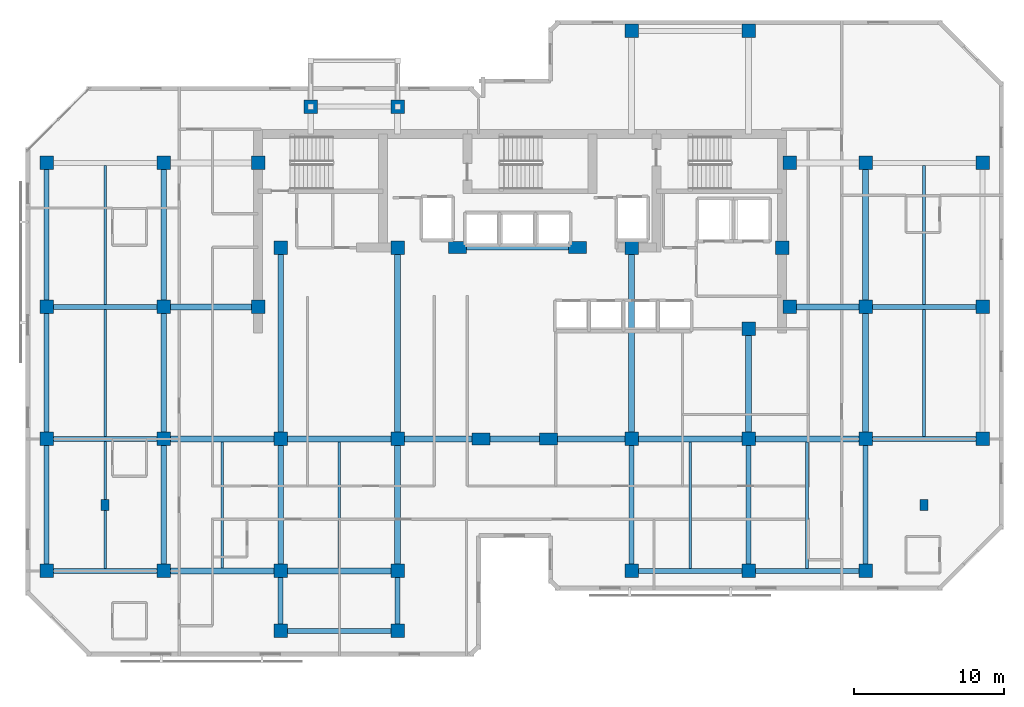
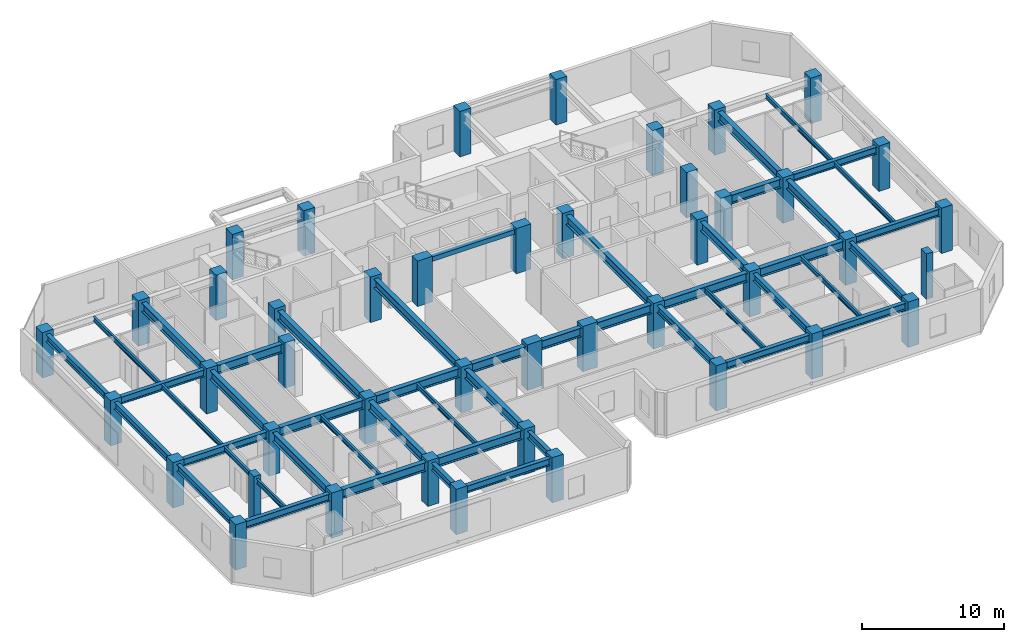
# One storey, part 1 of 10: 48 beams, 44 columns.
"""IFC4 building model written with IfcOpenShell, lengths in metres."""

from ifc_helpers import new_model, si_unit, direction, frame, origin, origin_2d, place, context, subcontext, project, spatial, rectangle, i_section, extrude, material, material_profile, profile_set, type_object, element, save


model = new_model("IFC4")

# Units and contexts
model_context = context("Model", 3, precision=1e-05, world=origin(), true_north=direction((0.0, 1.0)))
body_context = subcontext(model_context, "Body", "Model", "MODEL_VIEW")
ifc_project = project(units=[si_unit("LENGTHUNIT", "METRE"), si_unit("AREAUNIT", "SQUARE_METRE"), si_unit("VOLUMEUNIT", "CUBIC_METRE"), si_unit("PLANEANGLEUNIT", "RADIAN"), si_unit("MASSUNIT", "GRAM", prefix="KILO")], contexts=[model_context])

# Site, building, storey
site_placement = place(None, origin())
site = spatial("IfcSite", under=ifc_project, at=site_placement, CompositionType="ELEMENT")
building_placement = place(site_placement, origin())
building = spatial("IfcBuilding", under=site, at=building_placement, Name="Kestravale Grand Hotel", CompositionType="ELEMENT")
storey_placement = place(building_placement, frame((0.0, 0.0, 212.39990234375)))
storey = spatial("IfcBuildingStorey", under=building, at=storey_placement, Name="L53", CompositionType="ELEMENT", Elevation=212.39990234375)

# Columns
ifc_material_1 = material(Name="Concrete f'c 60 MPa", Category="concrete")
ifc_material_profile_1 = material_profile(ifc_material_1, rectangle(XDim=1.199951171875, YDim=0.800048828125, at=origin_2d()))
ifc_profile_set_1 = profile_set([ifc_material_profile_1], Name="Concrete f'c 60 MPa")
column_type_1 = type_object("IfcColumnType", Name="C-Z3-1200X800", PredefinedType="COLUMN", material=ifc_profile_set_1)
for number, where, z_axis, x_axis, name in (
    (1, (36.75, 20.0, 0.0), (0.0, 0.0, 1.0), (1.0, 0.0, 0.0), "L53 column 6-D"),
    (2, (41.25, 20.0, 0.0), (0.0, 0.0, 1.0), (1.0, 0.0, 0.0), "L53 column 7-D"),
    (3, (35.199951171875, 32.75, 0.0), (0.0, 0.0, 1.0), (1.0, 0.0, 0.0), "L53 column 6C-CS"),
    (4, (43.199951171875, 32.75, 0.0), (0.0, 0.0, 1.0), (1.0, 0.0, 0.0), "L53 column 7C-CS"),
):
    element("IfcColumn", number, at=place(storey_placement, frame(where, z_axis=z_axis, x_axis=x_axis)), inside=storey, type_object=column_type_1, Name=name, PredefinedType="COLUMN", context=body_context, shape_type="SweptSolid", body=[
        extrude(rectangle(XDim=1.199951171875, YDim=0.800048828125, at=origin_2d()), origin(), (0.0, 0.0, 1.0), 3.900146484375),
    ])
ifc_material_2 = material(Name="Precast concrete f'c 45 MPa", Category="concrete")
ifc_material_profile_2 = material_profile(ifc_material_2, rectangle(XDim=0.550048828125, YDim=0.75, at=origin_2d()))
ifc_profile_set_2 = profile_set([ifc_material_profile_2], Name="Precast concrete f'c 45 MPa")
column_type_2 = type_object("IfcColumnType", Name="C-Z3-PIL750", PredefinedType="PILASTER", material=ifc_profile_set_2)
for number, where, z_axis, x_axis, name in (
    (5, (11.699951171875, 15.60009765625, 0.0), (0.0, 0.0, 1.0), (1.0, 0.0, 0.0), "L53 Art Deco fluted pilaster P1"),
    (6, (66.300048828125, 15.60009765625, 0.0), (0.0, 0.0, 1.0), (1.0, 0.0, 0.0), "L53 Art Deco fluted pilaster P2"),
):
    element("IfcColumn", number, at=place(storey_placement, frame(where, z_axis=z_axis, x_axis=x_axis)), inside=storey, type_object=column_type_2, Name=name, PredefinedType="PILASTER", context=body_context, shape_type="SweptSolid", body=[
        extrude(rectangle(XDim=0.550048828125, YDim=0.75, at=origin_2d()), origin(), (0.0, 0.0, 1.0), 3.900146484375),
    ])
ifc_material_3 = material(Name="Concrete f'c 50 MPa", Category="concrete")
ifc_material_profile_3 = material_profile(ifc_material_3, rectangle(XDim=0.89990234375, YDim=0.89990234375, at=origin_2d()))
ifc_profile_set_3 = profile_set([ifc_material_profile_3], Name="Concrete f'c 50 MPa")
column_type_3 = type_object("IfcColumnType", Name="C-Z4-900", PredefinedType="COLUMN", material=ifc_profile_set_3)
for number, where, z_axis, x_axis, name in (
    (7, (7.800048828125, 11.199951171875, 0.0), (0.0, 0.0, 1.0), (1.0, 0.0, 0.0), "L53 column 2-C"),
    (8, (7.800048828125, 20.0, 0.0), (0.0, 0.0, 1.0), (1.0, 0.0, 0.0), "L53 column 2-D"),
    (9, (7.800048828125, 28.800048828125, 0.0), (0.0, 0.0, 1.0), (1.0, 0.0, 0.0), "L53 column 2-E"),
    (10, (7.800048828125, 38.39990234375, 0.0), (0.0, 0.0, 1.0), (1.0, 0.0, 0.0), "L53 column 2-F"),
    (11, (15.60009765625, 11.199951171875, 0.0), (0.0, 0.0, 1.0), (1.0, 0.0, 0.0), "L53 column 3-C"),
    (12, (15.60009765625, 20.0, 0.0), (0.0, 0.0, 1.0), (1.0, 0.0, 0.0), "L53 column 3-D"),
    (13, (15.60009765625, 28.800048828125, 0.0), (0.0, 0.0, 1.0), (1.0, 0.0, 0.0), "L53 column 3-E"),
    (14, (15.60009765625, 38.39990234375, 0.0), (0.0, 0.0, 1.0), (1.0, 0.0, 0.0), "L53 column 3-F"),
    (15, (23.39990234375, 11.199951171875, 0.0), (0.0, 0.0, 1.0), (1.0, 0.0, 0.0), "L53 column 4-C"),
    (16, (23.39990234375, 20.0, 0.0), (0.0, 0.0, 1.0), (1.0, 0.0, 0.0), "L53 column 4-D"),
    (17, (31.199951171875, 11.199951171875, 0.0), (0.0, 0.0, 1.0), (1.0, 0.0, 0.0), "L53 column 5-C"),
    (18, (31.199951171875, 20.0, 0.0), (0.0, 0.0, 1.0), (1.0, 0.0, 0.0), "L53 column 5-D"),
    (19, (46.800048828125, 11.199951171875, 0.0), (0.0, 0.0, 1.0), (1.0, 0.0, 0.0), "L53 column 8-C"),
    (20, (46.800048828125, 20.0, 0.0), (0.0, 0.0, 1.0), (1.0, 0.0, 0.0), "L53 column 8-D"),
    (21, (46.800048828125, 47.199951171875, 0.0), (0.0, 0.0, 1.0), (1.0, 0.0, 0.0), "L53 column 8-G"),
    (22, (54.60009765625, 11.199951171875, 0.0), (0.0, 0.0, 1.0), (1.0, 0.0, 0.0), "L53 column 9-C"),
    (23, (54.60009765625, 20.0, 0.0), (0.0, 0.0, 1.0), (1.0, 0.0, 0.0), "L53 column 9-D"),
    (24, (54.60009765625, 47.199951171875, 0.0), (0.0, 0.0, 1.0), (1.0, 0.0, 0.0), "L53 column 9-G"),
    (25, (62.39990234375, 11.199951171875, 0.0), (0.0, 0.0, 1.0), (1.0, 0.0, 0.0), "L53 column 10-C"),
    (26, (62.39990234375, 20.0, 0.0), (0.0, 0.0, 1.0), (1.0, 0.0, 0.0), "L53 column 10-D"),
    (27, (62.39990234375, 28.800048828125, 0.0), (0.0, 0.0, 1.0), (1.0, 0.0, 0.0), "L53 column 10-E"),
    (28, (62.39990234375, 38.39990234375, 0.0), (0.0, 0.0, 1.0), (1.0, 0.0, 0.0), "L53 column 10-F"),
    (29, (70.199951171875, 20.0, 0.0), (0.0, 0.0, 1.0), (1.0, 0.0, 0.0), "L53 column 11-D"),
    (30, (70.199951171875, 28.800048828125, 0.0), (0.0, 0.0, 1.0), (1.0, 0.0, 0.0), "L53 column 11-E"),
    (31, (70.199951171875, 38.39990234375, 0.0), (0.0, 0.0, 1.0), (1.0, 0.0, 0.0), "L53 column 11-F"),
    (32, (21.89990234375, 28.800048828125, 0.0), (0.0, 0.0, 1.0), (1.0, 0.0, 0.0), "L53 column CW-E"),
    (33, (21.89990234375, 38.39990234375, 0.0), (0.0, 0.0, 1.0), (1.0, 0.0, 0.0), "L53 column CW-F"),
    (34, (57.35009765625, 28.800048828125, 0.0), (0.0, 0.0, 1.0), (1.0, 0.0, 0.0), "L53 column CE-E"),
    (35, (57.35009765625, 38.39990234375, 0.0), (0.0, 0.0, 1.0), (1.0, 0.0, 0.0), "L53 column CE-F"),
    (36, (23.39990234375, 32.75, 0.0), (0.0, 0.0, 1.0), (1.0, 0.0, 0.0), "L53 column 4-CS"),
    (37, (31.199951171875, 32.75, 0.0), (0.0, 0.0, 1.0), (1.0, 0.0, 0.0), "L53 column 5-CS"),
    (38, (46.800048828125, 32.75, 0.0), (0.0, 0.0, 1.0), (1.0, 0.0, 0.0), "L53 column 8-CS"),
    (39, (54.60009765625, 27.35009765625, 0.0), (0.0, 0.0, 1.0), (1.0, 0.0, 0.0), "L53 column 9-CS"),
    (40, (56.85009765625, 32.75, 0.0), (0.0, 0.0, 1.0), (1.0, 0.0, 0.0), "L53 column 9C-CS"),
    (41, (23.39990234375, 7.199951171875, 0.0), (0.0, 0.0, 1.0), (1.0, 0.0, 0.0), "L53 column 4-BS"),
    (42, (31.199951171875, 7.199951171875, 0.0), (0.0, 0.0, 1.0), (1.0, 0.0, 0.0), "L53 column 5-BS"),
    (43, (25.39990234375, 42.14990234375, 0.0), (0.0, 0.0, 1.0), (1.0, 0.0, 0.0), "L53 column 4-FN"),
    (44, (31.199951171875, 42.14990234375, 0.0), (0.0, 0.0, 1.0), (1.0, 0.0, 0.0), "L53 column 5-FN"),
):
    element("IfcColumn", number, at=place(storey_placement, frame(where, z_axis=z_axis, x_axis=x_axis)), inside=storey, type_object=column_type_3, Name=name, PredefinedType="COLUMN", context=body_context, shape_type="SweptSolid", body=[
        extrude(rectangle(XDim=0.89990234375, YDim=0.89990234375, at=origin_2d()), origin(), (0.0, 0.0, 1.0), 3.900146484375),
    ])

# Beams
ifc_material_4 = material(Name="Steel ASTM A992 Grade 50", Category="steel")
ifc_material_profile_4 = material_profile(ifc_material_4, i_section(OverallWidth=0.177978515625, OverallDepth=0.404052734375, WebThickness=0.007568359375, FlangeThickness=0.010986328125, FilletRadius=0.01416015625, at=origin_2d()))
ifc_profile_set_4 = profile_set([ifc_material_profile_4], Name="Steel ASTM A992 Grade 50")
beam_type_1 = type_object("IfcBeamType", Name="B-FLR-JST16", PredefinedType="JOIST", material=ifc_profile_set_4)
for number, where, z_axis, x_axis, name in (
    (45, (11.699951171875, 11.362548828125, 3.447998046875), (0.0, 1.0, 0.0), (-1.0, 0.0, 0.0), "L53 floor joist 2-3/C-D #1"),
    (46, (11.699951171875, 20.16259765625, 3.447998046875), (0.0, 1.0, 0.0), (-1.0, 0.0, 0.0), "L53 floor joist 2-3/D-E #1"),
):
    element("IfcBeam", number, at=place(storey_placement, frame(where, z_axis=z_axis, x_axis=x_axis)), inside=storey, type_object=beam_type_1, Name=name, PredefinedType="JOIST", context=body_context, shape_type="SweptSolid", body=[
        extrude(i_section(OverallWidth=0.177978515625, OverallDepth=0.404052734375, WebThickness=0.007568359375, FlangeThickness=0.010986328125, FilletRadius=0.01416015625, at=origin_2d()), origin(), (0.0, 0.0, 1.0), 8.474853515625),
    ])
beam_1_placement = place(storey_placement, frame((11.699951171875, 28.96240234375, 3.447998046875), z_axis=(0.0, 1.0, 0.0), x_axis=(-1.0, 0.0, 0.0)))
element("IfcBeam", 47, at=beam_1_placement, inside=storey, type_object=beam_type_1, Name="L53 floor joist 2-3/E-F #1", PredefinedType="JOIST", context=body_context, shape_type="SweptSolid", body=[
    extrude(i_section(OverallWidth=0.177978515625, OverallDepth=0.404052734375, WebThickness=0.007568359375, FlangeThickness=0.010986328125, FilletRadius=0.01416015625, at=origin_2d()), origin(), (0.0, 0.0, 1.0), 9.275146484375),
])
for number, where, z_axis, x_axis, name in (
    (48, (19.5, 11.390380859375, 3.447998046875), (0.0, 1.0, 0.0), (-1.0, 0.0, 0.0), "L53 floor joist 3-4/C-D #1"),
    (49, (27.300048828125, 11.390380859375, 3.447998046875), (0.0, 1.0, 0.0), (-1.0, 0.0, 0.0), "L53 floor joist 4-5/C-D #1"),
):
    element("IfcBeam", number, at=place(storey_placement, frame(where, z_axis=z_axis, x_axis=x_axis)), inside=storey, type_object=beam_type_1, Name=name, PredefinedType="JOIST", context=body_context, shape_type="SweptSolid", body=[
        extrude(i_section(OverallWidth=0.177978515625, OverallDepth=0.404052734375, WebThickness=0.007568359375, FlangeThickness=0.010986328125, FilletRadius=0.01416015625, at=origin_2d()), origin(), (0.0, 0.0, 1.0), 8.419189453125),
    ])
for number, where, z_axis, x_axis, name in (
    (50, (50.699951171875, 11.362548828125, 3.447998046875), (0.0, 1.0, 0.0), (-1.0, 0.0, 0.0), "L53 floor joist 8-9/C-D #1"),
    (51, (58.5, 11.362548828125, 3.447998046875), (0.0, 1.0, 0.0), (-1.0, 0.0, 0.0), "L53 floor joist 9-10/C-D #1"),
):
    element("IfcBeam", number, at=place(storey_placement, frame(where, z_axis=z_axis, x_axis=x_axis)), inside=storey, type_object=beam_type_1, Name=name, PredefinedType="JOIST", context=body_context, shape_type="SweptSolid", body=[
        extrude(i_section(OverallWidth=0.177978515625, OverallDepth=0.404052734375, WebThickness=0.007568359375, FlangeThickness=0.010986328125, FilletRadius=0.01416015625, at=origin_2d()), origin(), (0.0, 0.0, 1.0), 8.447021484375),
    ])
beam_2_placement = place(storey_placement, frame((66.300048828125, 20.16259765625, 3.447998046875), z_axis=(0.0, 1.0, 0.0), x_axis=(-1.0, 0.0, 0.0)))
element("IfcBeam", 52, at=beam_2_placement, inside=storey, type_object=beam_type_1, Name="L53 floor joist 10-11/D-E #1", PredefinedType="JOIST", context=body_context, shape_type="SweptSolid", body=[
    extrude(i_section(OverallWidth=0.177978515625, OverallDepth=0.404052734375, WebThickness=0.007568359375, FlangeThickness=0.010986328125, FilletRadius=0.01416015625, at=origin_2d()), origin(), (0.0, 0.0, 1.0), 8.474853515625),
])
beam_3_placement = place(storey_placement, frame((66.300048828125, 28.96240234375, 3.447998046875), z_axis=(0.0, 1.0, 0.0), x_axis=(-1.0, 0.0, 0.0)))
element("IfcBeam", 53, at=beam_3_placement, inside=storey, type_object=beam_type_1, Name="L53 floor joist 10-11/E-F #1", PredefinedType="JOIST", context=body_context, shape_type="SweptSolid", body=[
    extrude(i_section(OverallWidth=0.177978515625, OverallDepth=0.404052734375, WebThickness=0.007568359375, FlangeThickness=0.010986328125, FilletRadius=0.01416015625, at=origin_2d()), origin(), (0.0, 0.0, 1.0), 9.275146484375),
])
ifc_material_5 = material(Name="Concrete f'c 45 MPa", Category="concrete")
ifc_material_profile_5 = material_profile(ifc_material_5, rectangle(XDim=0.300048828125, YDim=0.39990234375, at=origin_2d()))
ifc_profile_set_5 = profile_set([ifc_material_profile_5], Name="Concrete f'c 45 MPa")
beam_type_2 = type_object("IfcBeamType", Name="B-FLR-LNT400", PredefinedType="LINTEL", material=ifc_profile_set_5)
beam_4_placement = place(storey_placement, frame((35.199951171875, 32.75, 3.4501953125), z_axis=(1.0, 0.0, 0.0), x_axis=(0.0, 1.0, 0.0)))
element("IfcBeam", 54, at=beam_4_placement, inside=storey, type_object=beam_type_2, Name="L53 core portal header lintel", PredefinedType="LINTEL", context=body_context, shape_type="SweptSolid", body=[
    extrude(rectangle(XDim=0.300048828125, YDim=0.39990234375, at=origin_2d()), origin(), (0.0, 0.0, 1.0), 8.0),
])
ifc_material_6 = material(Name="Steel ASTM A992 Grade 50", Category="steel")
ifc_material_profile_6 = material_profile(ifc_material_6, i_section(OverallWidth=0.324951171875, OverallDepth=0.612060546875, WebThickness=0.0126953125, FlangeThickness=0.01904296875, FilletRadius=0.018798828125, at=origin_2d()))
ifc_profile_set_6 = profile_set([ifc_material_profile_6], Name="Steel ASTM A992 Grade 50")
beam_type_3 = type_object("IfcBeamType", Name="B-FLR-W24A", PredefinedType="SPANDREL", material=ifc_profile_set_6)
for number, where, z_axis, x_axis, name in (
    (55, (7.800048828125, 11.199951171875, 3.343994140625), (1.0, 0.0, 0.0), (0.0, 1.0, 0.0), "L53 spandrel C:2-3"),
    (56, (46.800048828125, 11.199951171875, 3.343994140625), (1.0, 0.0, 0.0), (0.0, 1.0, 0.0), "L53 spandrel C:8-9"),
):
    element("IfcBeam", number, at=place(storey_placement, frame(where, z_axis=z_axis, x_axis=x_axis)), inside=storey, type_object=beam_type_3, Name=name, PredefinedType="SPANDREL", context=body_context, shape_type="SweptSolid", body=[
        extrude(i_section(OverallWidth=0.324951171875, OverallDepth=0.612060546875, WebThickness=0.0126953125, FlangeThickness=0.01904296875, FilletRadius=0.018798828125, at=origin_2d()), origin(), (0.0, 0.0, 1.0), 7.800048828125),
    ])
beam_5_placement = place(storey_placement, frame((54.60009765625, 11.199951171875, 3.343994140625), z_axis=(1.0, 0.0, 0.0), x_axis=(0.0, 1.0, 0.0)))
element("IfcBeam", 57, at=beam_5_placement, inside=storey, type_object=beam_type_3, Name="L53 spandrel C:9-10", PredefinedType="SPANDREL", context=body_context, shape_type="SweptSolid", body=[
    extrude(i_section(OverallWidth=0.324951171875, OverallDepth=0.612060546875, WebThickness=0.0126953125, FlangeThickness=0.01904296875, FilletRadius=0.018798828125, at=origin_2d()), origin(), (0.0, 0.0, 1.0), 7.7998046875),
])
for number, where, z_axis, x_axis, name in (
    (58, (7.800048828125, 20.0, 3.343994140625), (1.0, 0.0, 0.0), (0.0, 1.0, 0.0), "L53 spandrel D:2-3"),
    (59, (62.39990234375, 20.0, 3.343994140625), (1.0, 0.0, 0.0), (0.0, 1.0, 0.0), "L53 spandrel D:10-11"),
    (60, (7.800048828125, 28.800048828125, 3.343994140625), (1.0, 0.0, 0.0), (0.0, 1.0, 0.0), "L53 spandrel E:2-3"),
    (61, (62.39990234375, 28.800048828125, 3.343994140625), (1.0, 0.0, 0.0), (0.0, 1.0, 0.0), "L53 spandrel E:10-11"),
    (62, (23.39990234375, 7.199951171875, 3.343994140625), (1.0, 0.0, 0.0), (0.0, 1.0, 0.0), "L53 perimeter tie spandrel BS:4-5"),
):
    element("IfcBeam", number, at=place(storey_placement, frame(where, z_axis=z_axis, x_axis=x_axis)), inside=storey, type_object=beam_type_3, Name=name, PredefinedType="SPANDREL", context=body_context, shape_type="SweptSolid", body=[
        extrude(i_section(OverallWidth=0.324951171875, OverallDepth=0.612060546875, WebThickness=0.0126953125, FlangeThickness=0.01904296875, FilletRadius=0.018798828125, at=origin_2d()), origin(), (0.0, 0.0, 1.0), 7.800048828125),
    ])
for number, where, z_axis, x_axis, name in (
    (63, (7.800048828125, 11.199951171875, 3.343994140625), (0.0, 1.0, 0.0), (-1.0, 0.0, 0.0), "L53 spandrel 2:C-D"),
    (64, (7.800048828125, 20.0, 3.343994140625), (0.0, 1.0, 0.0), (-1.0, 0.0, 0.0), "L53 spandrel 2:D-E"),
):
    element("IfcBeam", number, at=place(storey_placement, frame(where, z_axis=z_axis, x_axis=x_axis)), inside=storey, type_object=beam_type_3, Name=name, PredefinedType="SPANDREL", context=body_context, shape_type="SweptSolid", body=[
        extrude(i_section(OverallWidth=0.324951171875, OverallDepth=0.612060546875, WebThickness=0.0126953125, FlangeThickness=0.01904296875, FilletRadius=0.018798828125, at=origin_2d()), origin(), (0.0, 0.0, 1.0), 8.800048828125),
    ])
beam_6_placement = place(storey_placement, frame((7.800048828125, 28.800048828125, 3.343994140625), z_axis=(0.0, 1.0, 0.0), x_axis=(-1.0, 0.0, 0.0)))
element("IfcBeam", 65, at=beam_6_placement, inside=storey, type_object=beam_type_3, Name="L53 spandrel 2:E-F", PredefinedType="SPANDREL", context=body_context, shape_type="SweptSolid", body=[
    extrude(i_section(OverallWidth=0.324951171875, OverallDepth=0.612060546875, WebThickness=0.0126953125, FlangeThickness=0.01904296875, FilletRadius=0.018798828125, at=origin_2d()), origin(), (0.0, 0.0, 1.0), 9.599853515625),
])
for number, where, z_axis, x_axis, name in (
    (66, (23.39990234375, 7.199951171875, 3.343994140625), (0.0, 1.0, 0.0), (-1.0, 0.0, 0.0), "L53 spandrel 4:BS-C"),
    (67, (31.199951171875, 7.199951171875, 3.343994140625), (0.0, 1.0, 0.0), (-1.0, 0.0, 0.0), "L53 spandrel 5:BS-C"),
):
    element("IfcBeam", number, at=place(storey_placement, frame(where, z_axis=z_axis, x_axis=x_axis)), inside=storey, type_object=beam_type_3, Name=name, PredefinedType="SPANDREL", context=body_context, shape_type="SweptSolid", body=[
        extrude(i_section(OverallWidth=0.324951171875, OverallDepth=0.612060546875, WebThickness=0.0126953125, FlangeThickness=0.01904296875, FilletRadius=0.018798828125, at=origin_2d()), origin(), (0.0, 0.0, 1.0), 4.0),
    ])
for number, where, z_axis, x_axis, name in (
    (68, (46.800048828125, 11.199951171875, 3.343994140625), (0.0, 1.0, 0.0), (-1.0, 0.0, 0.0), "L53 spandrel 8:C-D"),
    (69, (54.60009765625, 11.199951171875, 3.343994140625), (0.0, 1.0, 0.0), (-1.0, 0.0, 0.0), "L53 spandrel 9:C-D"),
    (70, (62.39990234375, 11.199951171875, 3.343994140625), (0.0, 1.0, 0.0), (-1.0, 0.0, 0.0), "L53 spandrel 10:C-D"),
):
    element("IfcBeam", number, at=place(storey_placement, frame(where, z_axis=z_axis, x_axis=x_axis)), inside=storey, type_object=beam_type_3, Name=name, PredefinedType="SPANDREL", context=body_context, shape_type="SweptSolid", body=[
        extrude(i_section(OverallWidth=0.324951171875, OverallDepth=0.612060546875, WebThickness=0.0126953125, FlangeThickness=0.01904296875, FilletRadius=0.018798828125, at=origin_2d()), origin(), (0.0, 0.0, 1.0), 8.800048828125),
    ])
ifc_material_7 = material(Name="Steel ASTM A992 Grade 50", Category="steel")
ifc_material_profile_7 = material_profile(ifc_material_7, i_section(OverallWidth=0.381103515625, OverallDepth=0.77197265625, WebThickness=0.0166015625, FlangeThickness=0.027099609375, FilletRadius=0.023681640625, at=origin_2d()))
ifc_profile_set_7 = profile_set([ifc_material_profile_7], Name="Steel ASTM A992 Grade 50")
beam_type_4 = type_object("IfcBeamType", Name="B-GRD-W30", PredefinedType="BEAM", material=ifc_profile_set_7)
beam_7_placement = place(storey_placement, frame((15.60009765625, 11.199951171875, 3.26416015625), z_axis=(1.0, 0.0, 0.0), x_axis=(0.0, 1.0, 0.0)))
element("IfcBeam", 71, at=beam_7_placement, inside=storey, type_object=beam_type_4, Name="L53 girder C:3-4", PredefinedType="BEAM", context=body_context, shape_type="SweptSolid", body=[
    extrude(i_section(OverallWidth=0.381103515625, OverallDepth=0.77197265625, WebThickness=0.0166015625, FlangeThickness=0.027099609375, FilletRadius=0.023681640625, at=origin_2d()), origin(), (0.0, 0.0, 1.0), 7.7998046875),
])
beam_8_placement = place(storey_placement, frame((23.39990234375, 11.199951171875, 3.26416015625), z_axis=(1.0, 0.0, 0.0), x_axis=(0.0, 1.0, 0.0)))
element("IfcBeam", 72, at=beam_8_placement, inside=storey, type_object=beam_type_4, Name="L53 girder C:4-5", PredefinedType="BEAM", context=body_context, shape_type="SweptSolid", body=[
    extrude(i_section(OverallWidth=0.381103515625, OverallDepth=0.77197265625, WebThickness=0.0166015625, FlangeThickness=0.027099609375, FilletRadius=0.023681640625, at=origin_2d()), origin(), (0.0, 0.0, 1.0), 7.800048828125),
])
beam_9_placement = place(storey_placement, frame((15.60009765625, 20.0, 3.26416015625), z_axis=(1.0, 0.0, 0.0), x_axis=(0.0, 1.0, 0.0)))
element("IfcBeam", 73, at=beam_9_placement, inside=storey, type_object=beam_type_4, Name="L53 girder D:3-4", PredefinedType="BEAM", context=body_context, shape_type="SweptSolid", body=[
    extrude(i_section(OverallWidth=0.381103515625, OverallDepth=0.77197265625, WebThickness=0.0166015625, FlangeThickness=0.027099609375, FilletRadius=0.023681640625, at=origin_2d()), origin(), (0.0, 0.0, 1.0), 7.7998046875),
])
beam_10_placement = place(storey_placement, frame((23.39990234375, 20.0, 3.26416015625), z_axis=(1.0, 0.0, 0.0), x_axis=(0.0, 1.0, 0.0)))
element("IfcBeam", 74, at=beam_10_placement, inside=storey, type_object=beam_type_4, Name="L53 girder D:4-5", PredefinedType="BEAM", context=body_context, shape_type="SweptSolid", body=[
    extrude(i_section(OverallWidth=0.381103515625, OverallDepth=0.77197265625, WebThickness=0.0166015625, FlangeThickness=0.027099609375, FilletRadius=0.023681640625, at=origin_2d()), origin(), (0.0, 0.0, 1.0), 7.800048828125),
])
beam_11_placement = place(storey_placement, frame((31.199951171875, 20.0, 3.26416015625), z_axis=(1.0, 0.0, 0.0), x_axis=(0.0, 1.0, 0.0)))
element("IfcBeam", 75, at=beam_11_placement, inside=storey, type_object=beam_type_4, Name="L53 girder D:5-6", PredefinedType="BEAM", context=body_context, shape_type="SweptSolid", body=[
    extrude(i_section(OverallWidth=0.381103515625, OverallDepth=0.77197265625, WebThickness=0.0166015625, FlangeThickness=0.027099609375, FilletRadius=0.023681640625, at=origin_2d()), origin(), (0.0, 0.0, 1.0), 5.550048828125),
])
beam_12_placement = place(storey_placement, frame((36.75, 20.0, 3.26416015625), z_axis=(1.0, 0.0, 0.0), x_axis=(0.0, 1.0, 0.0)))
element("IfcBeam", 76, at=beam_12_placement, inside=storey, type_object=beam_type_4, Name="L53 girder D:6-7", PredefinedType="BEAM", context=body_context, shape_type="SweptSolid", body=[
    extrude(i_section(OverallWidth=0.381103515625, OverallDepth=0.77197265625, WebThickness=0.0166015625, FlangeThickness=0.027099609375, FilletRadius=0.023681640625, at=origin_2d()), origin(), (0.0, 0.0, 1.0), 4.5),
])
beam_13_placement = place(storey_placement, frame((41.25, 20.0, 3.26416015625), z_axis=(1.0, 0.0, 0.0), x_axis=(0.0, 1.0, 0.0)))
element("IfcBeam", 77, at=beam_13_placement, inside=storey, type_object=beam_type_4, Name="L53 girder D:7-8", PredefinedType="BEAM", context=body_context, shape_type="SweptSolid", body=[
    extrude(i_section(OverallWidth=0.381103515625, OverallDepth=0.77197265625, WebThickness=0.0166015625, FlangeThickness=0.027099609375, FilletRadius=0.023681640625, at=origin_2d()), origin(), (0.0, 0.0, 1.0), 5.550048828125),
])
beam_14_placement = place(storey_placement, frame((46.800048828125, 20.0, 3.26416015625), z_axis=(1.0, 0.0, 0.0), x_axis=(0.0, 1.0, 0.0)))
element("IfcBeam", 78, at=beam_14_placement, inside=storey, type_object=beam_type_4, Name="L53 girder D:8-9", PredefinedType="BEAM", context=body_context, shape_type="SweptSolid", body=[
    extrude(i_section(OverallWidth=0.381103515625, OverallDepth=0.77197265625, WebThickness=0.0166015625, FlangeThickness=0.027099609375, FilletRadius=0.023681640625, at=origin_2d()), origin(), (0.0, 0.0, 1.0), 7.800048828125),
])
beam_15_placement = place(storey_placement, frame((54.60009765625, 20.0, 3.26416015625), z_axis=(1.0, 0.0, 0.0), x_axis=(0.0, 1.0, 0.0)))
element("IfcBeam", 79, at=beam_15_placement, inside=storey, type_object=beam_type_4, Name="L53 girder D:9-10", PredefinedType="BEAM", context=body_context, shape_type="SweptSolid", body=[
    extrude(i_section(OverallWidth=0.381103515625, OverallDepth=0.77197265625, WebThickness=0.0166015625, FlangeThickness=0.027099609375, FilletRadius=0.023681640625, at=origin_2d()), origin(), (0.0, 0.0, 1.0), 7.7998046875),
])
beam_16_placement = place(storey_placement, frame((15.60009765625, 28.800048828125, 3.26416015625), z_axis=(1.0, 0.0, 0.0), x_axis=(0.0, 1.0, 0.0)))
element("IfcBeam", 80, at=beam_16_placement, inside=storey, type_object=beam_type_4, Name="L53 girder E:3-CW", PredefinedType="BEAM", context=body_context, shape_type="SweptSolid", body=[
    extrude(i_section(OverallWidth=0.381103515625, OverallDepth=0.77197265625, WebThickness=0.0166015625, FlangeThickness=0.027099609375, FilletRadius=0.023681640625, at=origin_2d()), origin(), (0.0, 0.0, 1.0), 6.2998046875),
])
beam_17_placement = place(storey_placement, frame((57.35009765625, 28.800048828125, 3.26416015625), z_axis=(1.0, 0.0, 0.0), x_axis=(0.0, 1.0, 0.0)))
element("IfcBeam", 81, at=beam_17_placement, inside=storey, type_object=beam_type_4, Name="L53 girder E:CE-10", PredefinedType="BEAM", context=body_context, shape_type="SweptSolid", body=[
    extrude(i_section(OverallWidth=0.381103515625, OverallDepth=0.77197265625, WebThickness=0.0166015625, FlangeThickness=0.027099609375, FilletRadius=0.023681640625, at=origin_2d()), origin(), (0.0, 0.0, 1.0), 5.0498046875),
])
for number, where, z_axis, x_axis, name in (
    (82, (15.60009765625, 11.199951171875, 3.26416015625), (0.0, 1.0, 0.0), (-1.0, 0.0, 0.0), "L53 girder 3:C-D"),
    (83, (15.60009765625, 20.0, 3.26416015625), (0.0, 1.0, 0.0), (-1.0, 0.0, 0.0), "L53 girder 3:D-E"),
):
    element("IfcBeam", number, at=place(storey_placement, frame(where, z_axis=z_axis, x_axis=x_axis)), inside=storey, type_object=beam_type_4, Name=name, PredefinedType="BEAM", context=body_context, shape_type="SweptSolid", body=[
        extrude(i_section(OverallWidth=0.381103515625, OverallDepth=0.77197265625, WebThickness=0.0166015625, FlangeThickness=0.027099609375, FilletRadius=0.023681640625, at=origin_2d()), origin(), (0.0, 0.0, 1.0), 8.800048828125),
    ])
beam_18_placement = place(storey_placement, frame((15.60009765625, 28.800048828125, 3.26416015625), z_axis=(0.0, 1.0, 0.0), x_axis=(-1.0, 0.0, 0.0)))
element("IfcBeam", 84, at=beam_18_placement, inside=storey, type_object=beam_type_4, Name="L53 girder 3:E-F", PredefinedType="BEAM", context=body_context, shape_type="SweptSolid", body=[
    extrude(i_section(OverallWidth=0.381103515625, OverallDepth=0.77197265625, WebThickness=0.0166015625, FlangeThickness=0.027099609375, FilletRadius=0.023681640625, at=origin_2d()), origin(), (0.0, 0.0, 1.0), 9.599853515625),
])
beam_19_placement = place(storey_placement, frame((23.39990234375, 11.199951171875, 3.26416015625), z_axis=(0.0, 1.0, 0.0), x_axis=(-1.0, 0.0, 0.0)))
element("IfcBeam", 85, at=beam_19_placement, inside=storey, type_object=beam_type_4, Name="L53 girder 4:C-D", PredefinedType="BEAM", context=body_context, shape_type="SweptSolid", body=[
    extrude(i_section(OverallWidth=0.381103515625, OverallDepth=0.77197265625, WebThickness=0.0166015625, FlangeThickness=0.027099609375, FilletRadius=0.023681640625, at=origin_2d()), origin(), (0.0, 0.0, 1.0), 8.800048828125),
])
beam_20_placement = place(storey_placement, frame((23.39990234375, 20.0, 3.26416015625), z_axis=(0.0, 1.0, 0.0), x_axis=(-1.0, 0.0, 0.0)))
element("IfcBeam", 86, at=beam_20_placement, inside=storey, type_object=beam_type_4, Name="L53 girder 4:D-CS", PredefinedType="BEAM", context=body_context, shape_type="SweptSolid", body=[
    extrude(i_section(OverallWidth=0.381103515625, OverallDepth=0.77197265625, WebThickness=0.0166015625, FlangeThickness=0.027099609375, FilletRadius=0.023681640625, at=origin_2d()), origin(), (0.0, 0.0, 1.0), 12.75),
])
beam_21_placement = place(storey_placement, frame((31.199951171875, 11.199951171875, 3.26416015625), z_axis=(0.0, 1.0, 0.0), x_axis=(-1.0, 0.0, 0.0)))
element("IfcBeam", 87, at=beam_21_placement, inside=storey, type_object=beam_type_4, Name="L53 girder 5:C-D", PredefinedType="BEAM", context=body_context, shape_type="SweptSolid", body=[
    extrude(i_section(OverallWidth=0.381103515625, OverallDepth=0.77197265625, WebThickness=0.0166015625, FlangeThickness=0.027099609375, FilletRadius=0.023681640625, at=origin_2d()), origin(), (0.0, 0.0, 1.0), 8.800048828125),
])
for number, where, z_axis, x_axis, name in (
    (88, (31.199951171875, 20.0, 3.26416015625), (0.0, 1.0, 0.0), (-1.0, 0.0, 0.0), "L53 girder 5:D-CS"),
    (89, (46.800048828125, 20.0, 3.26416015625), (0.0, 1.0, 0.0), (-1.0, 0.0, 0.0), "L53 girder 8:D-CS"),
):
    element("IfcBeam", number, at=place(storey_placement, frame(where, z_axis=z_axis, x_axis=x_axis)), inside=storey, type_object=beam_type_4, Name=name, PredefinedType="BEAM", context=body_context, shape_type="SweptSolid", body=[
        extrude(i_section(OverallWidth=0.381103515625, OverallDepth=0.77197265625, WebThickness=0.0166015625, FlangeThickness=0.027099609375, FilletRadius=0.023681640625, at=origin_2d()), origin(), (0.0, 0.0, 1.0), 12.75),
    ])
beam_22_placement = place(storey_placement, frame((54.60009765625, 20.0, 3.26416015625), z_axis=(0.0, 1.0, 0.0), x_axis=(-1.0, 0.0, 0.0)))
element("IfcBeam", 90, at=beam_22_placement, inside=storey, type_object=beam_type_4, Name="L53 girder 9:D-CS", PredefinedType="BEAM", context=body_context, shape_type="SweptSolid", body=[
    extrude(i_section(OverallWidth=0.381103515625, OverallDepth=0.77197265625, WebThickness=0.0166015625, FlangeThickness=0.027099609375, FilletRadius=0.023681640625, at=origin_2d()), origin(), (0.0, 0.0, 1.0), 7.35009765625),
])
beam_23_placement = place(storey_placement, frame((62.39990234375, 20.0, 3.26416015625), z_axis=(0.0, 1.0, 0.0), x_axis=(-1.0, 0.0, 0.0)))
element("IfcBeam", 91, at=beam_23_placement, inside=storey, type_object=beam_type_4, Name="L53 girder 10:D-E", PredefinedType="BEAM", context=body_context, shape_type="SweptSolid", body=[
    extrude(i_section(OverallWidth=0.381103515625, OverallDepth=0.77197265625, WebThickness=0.0166015625, FlangeThickness=0.027099609375, FilletRadius=0.023681640625, at=origin_2d()), origin(), (0.0, 0.0, 1.0), 8.800048828125),
])
beam_24_placement = place(storey_placement, frame((62.39990234375, 28.800048828125, 3.26416015625), z_axis=(0.0, 1.0, 0.0), x_axis=(-1.0, 0.0, 0.0)))
element("IfcBeam", 92, at=beam_24_placement, inside=storey, type_object=beam_type_4, Name="L53 girder 10:E-F", PredefinedType="BEAM", context=body_context, shape_type="SweptSolid", body=[
    extrude(i_section(OverallWidth=0.381103515625, OverallDepth=0.77197265625, WebThickness=0.0166015625, FlangeThickness=0.027099609375, FilletRadius=0.023681640625, at=origin_2d()), origin(), (0.0, 0.0, 1.0), 9.599853515625),
])

save(model, "model.ifc")
